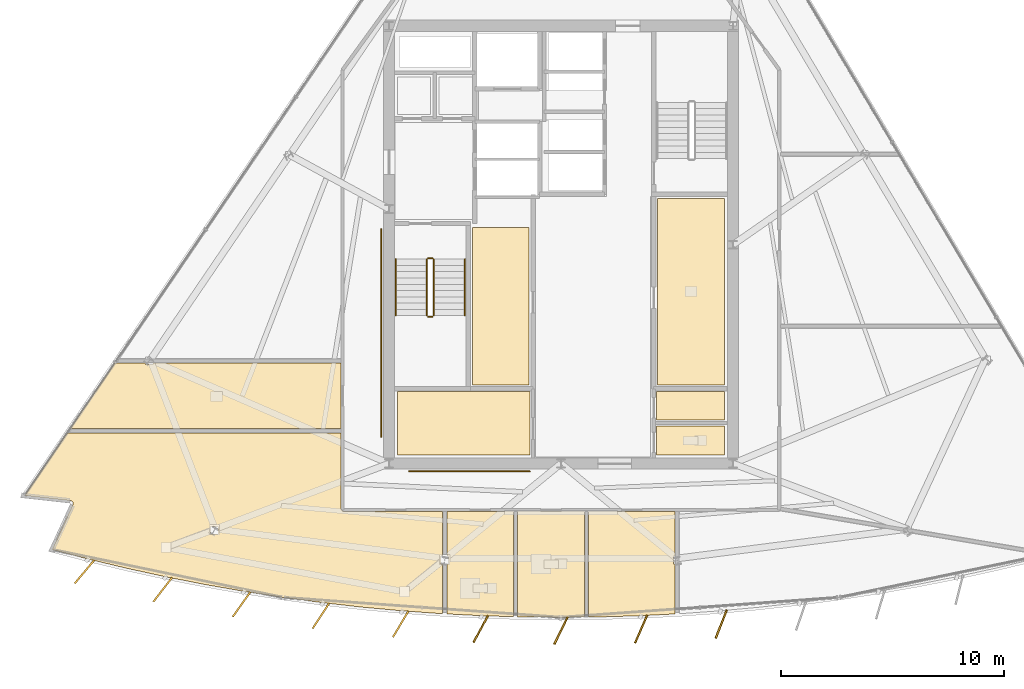
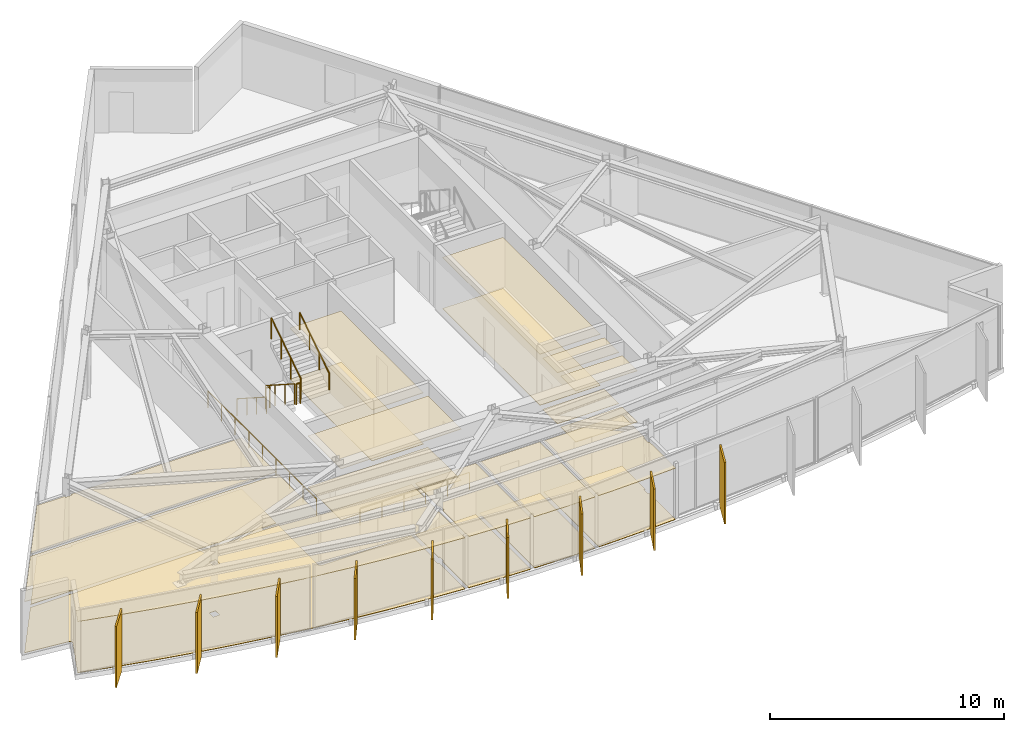
# One storey, part 9 of 12: 20 coverings, 9 shading devices, 8 railings.
"""IFC4 building model written with IfcOpenShell, lengths in metres."""

import ifcopenshell
import ifcopenshell.guid

model = None  # the IFC model being written
_history = None  # IfcOwnerHistory: only IFC2X3 demands one
_inside = {}  # id of a spatial element -> (the spatial element, [elements in it])
_under = {}  # id of a project, library or spatial element -> (it, [spatial elements below it])
_declared = {}  # id of a project -> (the project, [libraries it declares])
_typed = {}  # id of a type object -> (the type object, [elements of that type])
_made_of = {}  # id of a material, layer set ... -> (it, [elements and type objects made of it])


def new_model(schema):
    """Start an empty IFC model of exactly this schema.

    Asked for "IFC4X3", IfcOpenShell would pick the latest addendum, in which some entities
    have other attributes; the version numbers below select the first issue.
    IFC2X3 requires an IfcOwnerHistory on every rooted entity: one is made here for all.
    """
    global model, _history
    if schema == "IFC4X3":
        model = ifcopenshell.file(schema_version=(4, 3, 0, 0))
    else:
        model = ifcopenshell.file(schema=schema)
    _inside.clear()
    _under.clear()
    _declared.clear()
    _typed.clear()
    _made_of.clear()
    _history = None
    if model.schema == "IFC2X3":
        org = make("IfcOrganization", Name="unknown")
        user = make(
            "IfcPersonAndOrganization",
            ThePerson=make("IfcPerson", FamilyName="unknown"),
            TheOrganization=org,
        )
        app = make(
            "IfcApplication",
            ApplicationDeveloper=org,
            Version="unknown",
            ApplicationFullName="unknown",
            ApplicationIdentifier="unknown",
        )
        _history = make(
            "IfcOwnerHistory",
            OwningUser=user,
            OwningApplication=app,
            ChangeAction="ADDED",
            CreationDate=0,
        )
    return model


def make(cls, **values):
    """One entity of the class cls with the attributes given. An attribute that is None is left unset."""
    return model.create_entity(
        cls, **{name: value for name, value in values.items() if value is not None}
    )


def rooted(cls, **values):
    """An entity with a GlobalId (a new one), such as an element, a storey or a relation."""
    return make(cls, GlobalId=ifcopenshell.guid.new(), OwnerHistory=_history, **values)


def si_unit(unit_type, name, prefix=None):
    """IfcSIUnit, for example si_unit("LENGTHUNIT", "METRE", prefix="MILLI")."""
    return make("IfcSIUnit", UnitType=unit_type, Prefix=prefix, Name=name)


def assignment(units):
    """IfcUnitAssignment: the units of a project."""
    return None if units is None else make("IfcUnitAssignment", Units=units)


def point(xyz):
    """IfcCartesianPoint."""
    return None if xyz is None else make("IfcCartesianPoint", Coordinates=xyz)


def direction(xyz):
    """IfcDirection."""
    return None if xyz is None else make("IfcDirection", DirectionRatios=xyz)


def frame(location, z_axis=None, x_axis=None):
    """IfcAxis2Placement3D, a coordinate frame: its origin and axes. An axis left out is left unset."""
    return make(
        "IfcAxis2Placement3D",
        Location=point(location),
        Axis=direction(z_axis),
        RefDirection=direction(x_axis),
    )


def frame_2d(location, x_axis=None):
    """IfcAxis2Placement2D, a coordinate frame in the plane: its origin and x axis."""
    return make(
        "IfcAxis2Placement2D", Location=point(location), RefDirection=direction(x_axis)
    )


def origin():
    """The frame at (0, 0, 0) with its axes left unset."""
    return frame((0.0, 0.0, 0.0))


def origin_2d():
    """The frame at (0, 0) in the plane with its x axis left unset."""
    return frame_2d((0.0, 0.0))


def place(relative_to, where):
    """IfcLocalPlacement: puts the frame where relative to a parent placement (None: the world)."""
    return make(
        "IfcLocalPlacement", PlacementRelTo=relative_to, RelativePlacement=where
    )


def context(
    kind, dimensions, precision=None, world=None, true_north=None, identifier=None
):
    """IfcGeometricRepresentationContext, for example the 3D "Model" context."""
    return make(
        "IfcGeometricRepresentationContext",
        ContextIdentifier=identifier,
        ContextType=kind,
        CoordinateSpaceDimension=dimensions,
        Precision=precision,
        WorldCoordinateSystem=world,
        TrueNorth=true_north,
    )


def subcontext(parent, identifier, kind, view, scale=None):
    """IfcGeometricRepresentationSubContext, for example "Body" below "Model"."""
    return make(
        "IfcGeometricRepresentationSubContext",
        ContextIdentifier=identifier,
        ContextType=kind,
        ParentContext=parent,
        TargetScale=scale,
        TargetView=view,
    )


def project(units=None, contexts=None):
    """IfcProject with its units and contexts."""
    return rooted(
        "IfcProject",
        Name="project",
        RepresentationContexts=contexts,
        UnitsInContext=assignment(units),
    )


def spatial(cls, under=None, at=None, **own):
    """A site, building, storey or space (cls), placed at a placement, below another one or the project."""
    s = rooted(cls, ObjectPlacement=at, **own)
    if under is not None:
        _under.setdefault(under.id(), (under, []))[1].append(s)
    return s


def polyline(points):
    """IfcPolyline through the points."""
    return make("IfcPolyline", Points=[point(p) for p in points])


def profile(cls, at=None, kind="AREA", **sizes):
    """A parametric profile (cls). Its sizes go by their IFC names, for example OverallWidth=200.0."""
    return make(cls, ProfileType=kind, Position=at, **sizes)


def rectangle(**sizes):
    """IfcRectangleProfileDef."""
    return profile("IfcRectangleProfileDef", **sizes)


def circle(**sizes):
    """IfcCircleProfileDef."""
    return profile("IfcCircleProfileDef", **sizes)


def outline(outer, holes=None, kind="AREA"):
    """IfcArbitraryClosedProfileDef: a profile drawn as a closed curve; with holes, ...WithVoids."""
    if holes is None:
        return make("IfcArbitraryClosedProfileDef", ProfileType=kind, OuterCurve=outer)
    return make(
        "IfcArbitraryProfileDefWithVoids",
        ProfileType=kind,
        OuterCurve=outer,
        InnerCurves=holes,
    )


def extrude(swept, where, along, depth):
    """IfcExtrudedAreaSolid: the profile swept, set in the frame where, extruded along a direction by depth."""
    return make(
        "IfcExtrudedAreaSolid",
        SweptArea=swept,
        Position=where,
        ExtrudedDirection=direction(along),
        Depth=depth,
    )


def shape(context_of_items, identifier, shape_type, items):
    """IfcShapeRepresentation: the items that make up one representation, for example the "Body"."""
    return make(
        "IfcShapeRepresentation",
        ContextOfItems=context_of_items,
        RepresentationIdentifier=identifier,
        RepresentationType=shape_type,
        Items=items,
    )


def material(Name=None, Category=None):
    """IfcMaterial."""
    return make("IfcMaterial", Name=Name, Category=Category)


def layer(
    of_material, thickness, ventilated=None, Name=None, Category=None, Priority=None
):
    """IfcMaterialLayer: one layer of a wall or slab, of a material (None: an air gap)."""
    return make(
        "IfcMaterialLayer",
        Material=of_material,
        LayerThickness=thickness,
        IsVentilated=ventilated,
        Name=Name,
        Category=Category,
        Priority=Priority,
    )


def layer_set(layers, Name=None):
    """IfcMaterialLayerSet."""
    return make("IfcMaterialLayerSet", MaterialLayers=layers, LayerSetName=Name)


def made_of(thing, what):
    """Note that an element or type object is made of a material, layer set ...; save() writes the relation."""
    if what is not None:
        _made_of.setdefault(what.id(), (what, []))[1].append(thing)
    return thing


def type_object(cls, material=None, **own):
    """A type object (cls), such as IfcWallType, which elements share."""
    return made_of(rooted(cls, **own), material)


def element(
    cls,
    number,
    at=None,
    inside=None,
    cuts=None,
    type_object=None,
    material=None,
    context=None,
    identifier="Body",
    shape_type=None,
    held_by="IfcProductDefinitionShape",
    body=None,
    shapes=None,
    **own,
):
    """One element of the class cls, such as IfcWall. Its Tag is "e" and its number.

    at: its placement. inside: the storey or other place that contains it. cuts: it is an
    opening in that element (IfcRelVoidsElement). A single representation is given by context,
    identifier, shape_type and body (its items); several are given by shapes. held_by: the class
    of the entity that holds the representations. save() writes the other relations.
    """
    e = rooted(cls, Tag="e%d" % number, ObjectPlacement=at, **own)
    if body is not None:
        shapes = [shape(context, identifier, shape_type, body)]
    if shapes is not None:
        e.Representation = make(held_by, Representations=shapes)
    if inside is not None:
        _inside.setdefault(inside.id(), (inside, []))[1].append(e)
    if cuts is not None:
        rooted(
            "IfcRelVoidsElement", RelatingBuildingElement=cuts, RelatedOpeningElement=e
        )
    if type_object is not None:
        _typed.setdefault(type_object.id(), (type_object, []))[1].append(e)
    return made_of(e, material)


def aggregate(whole, parts):
    """IfcRelAggregates: a whole, such as a stair, and the parts it consists of."""
    return rooted("IfcRelAggregates", RelatingObject=whole, RelatedObjects=parts)


def save(model, path):
    """Write the relations noted so far, then the file.

    IfcRelAggregates (storeys below a building ...), IfcRelContainedInSpatialStructure (elements
    in a storey), IfcRelDefinesByType, IfcRelAssociatesMaterial and IfcRelDeclares: one each for
    every whole, place, type object, material and project.
    """
    for whole, parts in _under.values():
        aggregate(whole, parts)
    for where, things in _inside.values():
        rooted(
            "IfcRelContainedInSpatialStructure",
            RelatedElements=things,
            RelatingStructure=where,
        )
    for kind, things in _typed.values():
        rooted("IfcRelDefinesByType", RelatedObjects=things, RelatingType=kind)
    for what, things in _made_of.values():
        rooted("IfcRelAssociatesMaterial", RelatedObjects=things, RelatingMaterial=what)
    for by, libraries in _declared.values():
        rooted("IfcRelDeclares", RelatingContext=by, RelatedDefinitions=libraries)
    model.write(path)


model = new_model("IFC4")

# Units and contexts
model_context = context("Model", 3, precision=1e-05, world=origin(), true_north=direction((0.0, 1.0)))
body_context = subcontext(model_context, "Body", "Model", "MODEL_VIEW")
ifc_project = project(units=[si_unit("LENGTHUNIT", "METRE"), si_unit("AREAUNIT", "SQUARE_METRE"), si_unit("VOLUMEUNIT", "CUBIC_METRE"), si_unit("PLANEANGLEUNIT", "RADIAN"), si_unit("MASSUNIT", "GRAM", prefix="KILO")], contexts=[model_context])

# Site, building, storey
site_placement = place(None, origin())
site = spatial("IfcSite", under=ifc_project, at=site_placement, CompositionType="ELEMENT")
building_placement = place(site_placement, origin())
building = spatial("IfcBuilding", under=site, at=building_placement, Name="Savorim Split Tower", CompositionType="ELEMENT")
storey_placement = place(building_placement, frame((0.0, 0.0, 268.800048828125)))
storey = spatial("IfcBuildingStorey", under=building, at=storey_placement, Name="L71", CompositionType="ELEMENT", Elevation=268.800048828125)

# Coverings
ifc_material_1 = material(Name="Mineral Fibre Acoustic Ceiling")
ifc_layer_1 = layer(ifc_material_1, 0.02490234375)
ifc_layer_set_1 = layer_set([ifc_layer_1], Name="COV-CEIL-25")
covering_type_1 = type_object("IfcCoveringType", Name="COV-CEIL-25", PredefinedType="CEILING", material=ifc_layer_set_1)
covering_1_placement = place(storey_placement, frame((0.0, 0.0, 2.669921875)))
element("IfcCovering", 1, at=covering_1_placement, inside=storey, type_object=covering_type_1, Name="L71 Community Laundry Room Acoustic Ceiling", PredefinedType="CEILING", context=body_context, shape_type="SweptSolid", body=[
    extrude(outline(polyline([(4.330078125, 2.469970703125), (4.330078125, -5.8701171875), (7.320068359375, -5.8701171875), (7.320068359375, 2.469970703125), (4.330078125, 2.469970703125)])), origin(), (0.0, 0.0, 1.0), 0.025146484375),
])
covering_2_placement = place(storey_placement, frame((0.0, 0.0, 2.669921875)))
element("IfcCovering", 2, at=covering_2_placement, inside=storey, type_object=covering_type_1, Name="L71 Quiet Study Room Acoustic Ceiling", PredefinedType="CEILING", context=body_context, shape_type="SweptSolid", body=[
    extrude(outline(polyline([(-3.969970703125, 1.169921875), (-3.969970703125, -5.8701171875), (-1.429931640625, -5.8701171875), (-1.429931640625, 1.169921875), (-3.969970703125, 1.169921875)])), origin(), (0.0, 0.0, 1.0), 0.025146484375),
])
covering_3_placement = place(storey_placement, frame((0.0, 0.0, 2.669921875)))
element("IfcCovering", 3, at=covering_3_placement, inside=storey, type_object=covering_type_1, Name="L71 Housekeeping Store Acoustic Ceiling", PredefinedType="CEILING", context=body_context, shape_type="SweptSolid", body=[
    extrude(outline(polyline([(-7.320068359375, -6.179931640625), (-7.320068359375, -9.02001953125), (-1.3798828125, -9.02001953125), (-1.3798828125, -6.179931640625), (-7.320068359375, -6.179931640625)])), origin(), (0.0, 0.0, 1.0), 0.025146484375),
])
covering_4_placement = place(storey_placement, frame((0.0, 0.0, 2.669921875)))
element("IfcCovering", 4, at=covering_4_placement, inside=storey, type_object=covering_type_1, Name="L71 Accessible WC Acoustic Ceiling", PredefinedType="CEILING", context=body_context, shape_type="SweptSolid", body=[
    extrude(outline(polyline([(4.280029296875, -7.719970703125), (4.280029296875, -9.02001953125), (7.320068359375, -9.02001953125), (7.320068359375, -7.719970703125), (4.280029296875, -7.719970703125)])), origin(), (0.0, 0.0, 1.0), 0.025146484375),
])
covering_5_placement = place(storey_placement, frame((0.0, 0.0, 2.669921875)))
element("IfcCovering", 5, at=covering_5_placement, inside=storey, type_object=covering_type_1, Name="L71 Cleaning Store Acoustic Ceiling", PredefinedType="CEILING", context=body_context, shape_type="SweptSolid", body=[
    extrude(outline(polyline([(4.280029296875, -6.179931640625), (4.280029296875, -7.43994140625), (7.320068359375, -7.43994140625), (7.320068359375, -6.179931640625), (4.280029296875, -6.179931640625)])), origin(), (0.0, 0.0, 1.0), 0.025146484375),
])
covering_6_placement = place(storey_placement, frame((0.0, 0.0, 2.669921875)))
element("IfcCovering", 6, at=covering_6_placement, inside=storey, type_object=covering_type_1, Name="L71 Shared Kitchen Acoustic Ceiling", PredefinedType="CEILING", context=body_context, shape_type="SweptSolid", body=[
    extrude(outline(polyline([(-19.842529296875, -4.890380859375), (-19.9375, -4.890380859375), (-19.9375, -4.84619140625), (-21.973388671875, -7.838623046875), (-9.840087890625, -7.838623046875), (-9.840087890625, -4.890380859375), (-18.267333984375, -4.890380859375), (-18.267333984375, -4.970458984375), (-18.59619140625, -4.970458984375), (-18.59619140625, -4.890380859375), (-19.842529296875, -4.890380859375)])), origin(), (0.0, 0.0, 1.0), 0.025146484375),
])
covering_7_placement = place(storey_placement, frame((0.0, 0.0, 2.669921875)))
element("IfcCovering", 7, at=covering_7_placement, inside=storey, type_object=covering_type_1, Name="L71 Co-Working Commons Acoustic Ceiling", PredefinedType="CEILING", context=body_context, shape_type="SweptSolid", body=[
    extrude(outline(polyline([(-21.83837890625, -11.18408203125), (-21.839111328125, -11.196044921875), (-21.84130859375, -11.2080078125), (-21.8447265625, -11.21923828125), (-21.84912109375, -11.23046875), (-22.7783203125, -13.2529296875), (-21.18994140625, -13.668212890625), (-19.45556640625, -14.084228515625), (-17.712890625, -14.464599609375), (-15.962646484375, -14.80908203125), (-14.2060546875, -15.117919921875), (-12.443359375, -15.390380859375), (-10.67529296875, -15.626953125), (-8.90283203125, -15.827392578125), (-7.126953125, -15.991455078125), (-5.34765625, -16.118896484375), (-5.296630859375, -16.12158203125), (-5.296630859375, -13.88671875), (-5.3662109375, -13.88671875), (-5.3662109375, -13.536865234375), (-5.296630859375, -13.536865234375), (-5.296630859375, -11.5400390625), (-9.699951171875, -11.5400390625), (-9.713623046875, -11.539306640625), (-9.727294921875, -11.537353515625), (-9.740478515625, -11.533935546875), (-9.753662109375, -11.529296875), (-9.76611328125, -11.5234375), (-9.77783203125, -11.516357421875), (-9.788818359375, -11.50830078125), (-9.799072265625, -11.4990234375), (-9.80810546875, -11.48876953125), (-9.81640625, -11.477783203125), (-9.823486328125, -11.466064453125), (-9.829345703125, -11.45361328125), (-9.833984375, -11.440673828125), (-9.83740234375, -11.42724609375), (-9.83935546875, -11.413818359375), (-9.840087890625, -11.39990234375), (-9.840087890625, -8.028564453125), (-22.1025390625, -8.028564453125), (-24.0087890625, -10.83056640625), (-21.94482421875, -11.06103515625), (-21.93310546875, -11.06298828125), (-21.921630859375, -11.06591796875), (-21.910400390625, -11.0703125), (-21.899658203125, -11.075439453125), (-21.8896484375, -11.081787109375), (-21.880126953125, -11.089111328125), (-21.87158203125, -11.097412109375), (-21.86376953125, -11.1064453125), (-21.856689453125, -11.1162109375), (-21.850830078125, -11.12646484375), (-21.84619140625, -11.137451171875), (-21.84228515625, -11.148681640625), (-21.83984375, -11.160400390625), (-21.83837890625, -11.17236328125), (-21.83837890625, -11.18408203125)]), holes=[polyline([(-15.68505859375, -12.56201171875), (-15.35595703125, -12.56201171875), (-15.35595703125, -12.2119140625), (-15.68505859375, -12.2119140625), (-15.68505859375, -12.56201171875)])]), origin(), (0.0, 0.0, 1.0), 0.025146484375),
])
covering_8_placement = place(storey_placement, frame((0.0, 0.0, 2.669921875)))
element("IfcCovering", 8, at=covering_8_placement, inside=storey, type_object=covering_type_1, Name="L71 Shared Bathroom Acoustic Ceiling", PredefinedType="CEILING", context=body_context, shape_type="SweptSolid", body=[
    extrude(outline(polyline([(-5.106689453125, -16.076416015625), (-5.106689453125, -16.13134765625), (-3.56640625, -16.210205078125), (-2.12451171875, -16.25439453125), (-2.12451171875, -11.5400390625), (-5.106689453125, -11.5400390625), (-5.106689453125, -13.536865234375), (-5.037109375, -13.536865234375), (-5.037109375, -13.88671875), (-5.106689453125, -13.88671875), (-5.106689453125, -16.076416015625)])), origin(), (0.0, 0.0, 1.0), 0.025146484375),
])
covering_9_placement = place(storey_placement, frame((0.0, 0.0, 2.669921875)))
element("IfcCovering", 9, at=covering_9_placement, inside=storey, type_object=covering_type_1, Name="L71 Shared Bathroom Acoustic Ceiling", PredefinedType="CEILING", context=body_context, shape_type="SweptSolid", body=[
    extrude(outline(polyline([(-1.9345703125, -16.26025390625), (-1.783447265625, -16.264892578125), (0.0, -16.283203125), (1.047607421875, -16.2724609375), (1.047607421875, -11.5400390625), (-1.9345703125, -11.5400390625), (-1.9345703125, -16.26025390625)])), origin(), (0.0, 0.0, 1.0), 0.025146484375),
])
covering_10_placement = place(storey_placement, frame((0.0, 0.0, 2.669921875)))
element("IfcCovering", 10, at=covering_10_placement, inside=storey, type_object=covering_type_1, Name="L71 Co-Living Bedroom Acoustic Ceiling", PredefinedType="CEILING", context=body_context, shape_type="SweptSolid", body=[
    extrude(outline(polyline([(1.237548828125, -11.5400390625), (1.237548828125, -16.2705078125), (1.783447265625, -16.264892578125), (3.56640625, -16.210205078125), (5.106689453125, -16.13134765625), (5.106689453125, -13.88671875), (5.037109375, -13.88671875), (5.037109375, -13.536865234375), (5.106689453125, -13.536865234375), (5.106689453125, -11.5400390625), (1.237548828125, -11.5400390625)])), origin(), (0.0, 0.0, 1.0), 0.025146484375),
])
ifc_material_2 = material(Name="Porcelain Stoneware Flooring", Category="masonry")
ifc_layer_2 = layer(ifc_material_2, 0.02001953125)
ifc_layer_set_2 = layer_set([ifc_layer_2], Name="COV-FLOR-20")
covering_type_2 = type_object("IfcCoveringType", Name="COV-FLOR-20", PredefinedType="FLOORING", material=ifc_layer_set_2)
covering_11_placement = place(storey_placement, origin())
element("IfcCovering", 11, at=covering_11_placement, inside=storey, type_object=covering_type_2, Name="L71 Community Laundry Room Porcelain Flooring", PredefinedType="FLOORING", context=body_context, shape_type="SweptSolid", body=[
    extrude(outline(polyline([(4.330078125, 2.469970703125), (4.330078125, -5.8701171875), (7.320068359375, -5.8701171875), (7.320068359375, 2.469970703125), (4.330078125, 2.469970703125)])), origin(), (0.0, 0.0, 1.0), 0.02001953125),
])
covering_12_placement = place(storey_placement, origin())
element("IfcCovering", 12, at=covering_12_placement, inside=storey, type_object=covering_type_2, Name="L71 Quiet Study Room Porcelain Flooring", PredefinedType="FLOORING", context=body_context, shape_type="SweptSolid", body=[
    extrude(outline(polyline([(-3.969970703125, 1.169921875), (-3.969970703125, -5.8701171875), (-1.429931640625, -5.8701171875), (-1.429931640625, 1.169921875), (-3.969970703125, 1.169921875)])), origin(), (0.0, 0.0, 1.0), 0.02001953125),
])
covering_13_placement = place(storey_placement, origin())
element("IfcCovering", 13, at=covering_13_placement, inside=storey, type_object=covering_type_2, Name="L71 Housekeeping Store Porcelain Flooring", PredefinedType="FLOORING", context=body_context, shape_type="SweptSolid", body=[
    extrude(outline(polyline([(-7.320068359375, -6.179931640625), (-7.320068359375, -9.02001953125), (-1.3798828125, -9.02001953125), (-1.3798828125, -6.179931640625), (-7.320068359375, -6.179931640625)])), origin(), (0.0, 0.0, 1.0), 0.02001953125),
])
covering_14_placement = place(storey_placement, origin())
element("IfcCovering", 14, at=covering_14_placement, inside=storey, type_object=covering_type_2, Name="L71 Accessible WC Porcelain Flooring", PredefinedType="FLOORING", context=body_context, shape_type="SweptSolid", body=[
    extrude(outline(polyline([(4.280029296875, -7.719970703125), (4.280029296875, -9.02001953125), (7.320068359375, -9.02001953125), (7.320068359375, -7.719970703125), (4.280029296875, -7.719970703125)])), origin(), (0.0, 0.0, 1.0), 0.02001953125),
])
covering_15_placement = place(storey_placement, origin())
element("IfcCovering", 15, at=covering_15_placement, inside=storey, type_object=covering_type_2, Name="L71 Cleaning Store Porcelain Flooring", PredefinedType="FLOORING", context=body_context, shape_type="SweptSolid", body=[
    extrude(outline(polyline([(4.280029296875, -6.179931640625), (4.280029296875, -7.43994140625), (7.320068359375, -7.43994140625), (7.320068359375, -6.179931640625), (4.280029296875, -6.179931640625)])), origin(), (0.0, 0.0, 1.0), 0.02001953125),
])
covering_16_placement = place(storey_placement, origin())
element("IfcCovering", 16, at=covering_16_placement, inside=storey, type_object=covering_type_2, Name="L71 Shared Kitchen Porcelain Flooring", PredefinedType="FLOORING", context=body_context, shape_type="SweptSolid", body=[
    extrude(outline(polyline([(-19.842529296875, -4.890380859375), (-19.9375, -4.890380859375), (-19.9375, -4.84619140625), (-21.973388671875, -7.838623046875), (-9.840087890625, -7.838623046875), (-9.840087890625, -4.890380859375), (-18.267333984375, -4.890380859375), (-18.267333984375, -4.970458984375), (-18.59619140625, -4.970458984375), (-18.59619140625, -4.890380859375), (-19.842529296875, -4.890380859375)])), origin(), (0.0, 0.0, 1.0), 0.02001953125),
])
covering_17_placement = place(storey_placement, origin())
element("IfcCovering", 17, at=covering_17_placement, inside=storey, type_object=covering_type_2, Name="L71 Co-Working Commons Porcelain Flooring", PredefinedType="FLOORING", context=body_context, shape_type="SweptSolid", body=[
    extrude(outline(polyline([(-21.83837890625, -11.18408203125), (-21.839111328125, -11.196044921875), (-21.84130859375, -11.2080078125), (-21.8447265625, -11.21923828125), (-21.84912109375, -11.23046875), (-22.7783203125, -13.2529296875), (-21.18994140625, -13.668212890625), (-19.45556640625, -14.084228515625), (-17.712890625, -14.464599609375), (-15.962646484375, -14.80908203125), (-14.2060546875, -15.117919921875), (-12.443359375, -15.390380859375), (-10.67529296875, -15.626953125), (-8.90283203125, -15.827392578125), (-7.126953125, -15.991455078125), (-5.34765625, -16.118896484375), (-5.296630859375, -16.12158203125), (-5.296630859375, -13.88671875), (-5.3662109375, -13.88671875), (-5.3662109375, -13.536865234375), (-5.296630859375, -13.536865234375), (-5.296630859375, -11.5400390625), (-9.699951171875, -11.5400390625), (-9.713623046875, -11.539306640625), (-9.727294921875, -11.537353515625), (-9.740478515625, -11.533935546875), (-9.753662109375, -11.529296875), (-9.76611328125, -11.5234375), (-9.77783203125, -11.516357421875), (-9.788818359375, -11.50830078125), (-9.799072265625, -11.4990234375), (-9.80810546875, -11.48876953125), (-9.81640625, -11.477783203125), (-9.823486328125, -11.466064453125), (-9.829345703125, -11.45361328125), (-9.833984375, -11.440673828125), (-9.83740234375, -11.42724609375), (-9.83935546875, -11.413818359375), (-9.840087890625, -11.39990234375), (-9.840087890625, -8.028564453125), (-22.1025390625, -8.028564453125), (-24.0087890625, -10.83056640625), (-21.94482421875, -11.06103515625), (-21.93310546875, -11.06298828125), (-21.921630859375, -11.06591796875), (-21.910400390625, -11.0703125), (-21.899658203125, -11.075439453125), (-21.8896484375, -11.081787109375), (-21.880126953125, -11.089111328125), (-21.87158203125, -11.097412109375), (-21.86376953125, -11.1064453125), (-21.856689453125, -11.1162109375), (-21.850830078125, -11.12646484375), (-21.84619140625, -11.137451171875), (-21.84228515625, -11.148681640625), (-21.83984375, -11.160400390625), (-21.83837890625, -11.17236328125), (-21.83837890625, -11.18408203125)]), holes=[polyline([(-15.68505859375, -12.56201171875), (-15.35595703125, -12.56201171875), (-15.35595703125, -12.2119140625), (-15.68505859375, -12.2119140625), (-15.68505859375, -12.56201171875)])]), origin(), (0.0, 0.0, 1.0), 0.02001953125),
])
covering_18_placement = place(storey_placement, origin())
element("IfcCovering", 18, at=covering_18_placement, inside=storey, type_object=covering_type_2, Name="L71 Shared Bathroom Porcelain Flooring", PredefinedType="FLOORING", context=body_context, shape_type="SweptSolid", body=[
    extrude(outline(polyline([(-5.106689453125, -16.076416015625), (-5.106689453125, -16.13134765625), (-3.56640625, -16.210205078125), (-2.12451171875, -16.25439453125), (-2.12451171875, -11.5400390625), (-5.106689453125, -11.5400390625), (-5.106689453125, -13.536865234375), (-5.037109375, -13.536865234375), (-5.037109375, -13.88671875), (-5.106689453125, -13.88671875), (-5.106689453125, -16.076416015625)])), origin(), (0.0, 0.0, 1.0), 0.02001953125),
])
covering_19_placement = place(storey_placement, origin())
element("IfcCovering", 19, at=covering_19_placement, inside=storey, type_object=covering_type_2, Name="L71 Shared Bathroom Porcelain Flooring", PredefinedType="FLOORING", context=body_context, shape_type="SweptSolid", body=[
    extrude(outline(polyline([(-1.9345703125, -16.26025390625), (-1.783447265625, -16.264892578125), (0.0, -16.283203125), (1.047607421875, -16.2724609375), (1.047607421875, -11.5400390625), (-1.9345703125, -11.5400390625), (-1.9345703125, -16.26025390625)])), origin(), (0.0, 0.0, 1.0), 0.02001953125),
])
covering_20_placement = place(storey_placement, origin())
element("IfcCovering", 20, at=covering_20_placement, inside=storey, type_object=covering_type_2, Name="L71 Co-Living Bedroom Porcelain Flooring", PredefinedType="FLOORING", context=body_context, shape_type="SweptSolid", body=[
    extrude(outline(polyline([(1.237548828125, -11.5400390625), (1.237548828125, -16.2705078125), (1.783447265625, -16.264892578125), (3.56640625, -16.210205078125), (5.106689453125, -16.13134765625), (5.106689453125, -13.88671875), (5.037109375, -13.88671875), (5.037109375, -13.536865234375), (5.106689453125, -13.536865234375), (5.106689453125, -11.5400390625), (1.237548828125, -11.5400390625)])), origin(), (0.0, 0.0, 1.0), 0.02001953125),
])

# Railings
ifc_material_3 = material(Name="Galvanised Painted Steel Balustrade", Category="steel")
railing_type_1 = type_object("IfcRailingType", Name="RLG-HR-900", PredefinedType="HANDRAIL", material=ifc_material_3)
railing_1_placement = place(storey_placement, frame((-7.39990234375, -0.25, 0.179931640625)))
element("IfcRailing", 21, at=railing_1_placement, inside=storey, type_object=railing_type_1, Name="L71 ST-1 stair handrail 1", PredefinedType="HANDRAIL", context=body_context, shape_type="SweptSolid", body=[
    extrude(circle(Radius=0.02392578125, at=origin_2d()), frame((0.0, 0.0, 0.8759765625), z_axis=(0.0, -0.841162588446, 0.540782303519), x_axis=(1.0, 0.0, 0.0)), (0.0, 0.0, 1.0), 2.995849609375),
    extrude(circle(Radius=0.02099609375, at=origin_2d()), origin(), (0.0, 0.0, 1.0), 0.851806640625),
    extrude(circle(Radius=0.02099609375, at=origin_2d()), frame((0.0, -0.840087890625, 0.5400390625)), (0.0, 0.0, 1.0), 0.851806640625),
    extrude(circle(Radius=0.02099609375, at=origin_2d()), frame((0.0, -1.679931640625, 1.080078125)), (0.0, 0.0, 1.0), 0.851806640625),
    extrude(circle(Radius=0.02099609375, at=origin_2d()), frame((0.0, -2.52001953125, 1.6201171875)), (0.0, 0.0, 1.0), 0.851806640625),
])
railing_2_placement = place(storey_placement, frame((-4.300048828125, -2.77001953125, 1.97998046875)))
element("IfcRailing", 22, at=railing_2_placement, inside=storey, type_object=railing_type_1, Name="L71 ST-1 stair handrail 2", PredefinedType="HANDRAIL", context=body_context, shape_type="SweptSolid", body=[
    extrude(circle(Radius=0.02392578125, at=origin_2d()), frame((0.0, 0.0, 0.8759765625), z_axis=(0.0, 0.841199657755, 0.540724639528), x_axis=(-1.0, 0.0, 0.0)), (0.0, 0.0, 1.0), 2.995849609375),
    extrude(circle(Radius=0.02099609375, at=origin_2d()), origin(), (0.0, 0.0, 1.0), 0.851806640625),
    extrude(circle(Radius=0.02099609375, at=origin_2d()), frame((0.0, 0.840087890625, 0.5400390625)), (0.0, 0.0, 1.0), 0.851806640625),
    extrude(circle(Radius=0.02099609375, at=origin_2d()), frame((0.0, 1.679931640625, 1.079833984375)), (0.0, 0.0, 1.0), 0.851806640625),
    extrude(circle(Radius=0.02099609375, at=origin_2d()), frame((0.0, 2.52001953125, 1.619873046875)), (0.0, 0.0, 1.0), 0.851806640625),
])
railing_3_placement = place(storey_placement, frame((-6.800048828125, -9.75, 0.0)))
element("IfcRailing", 23, at=railing_3_placement, inside=storey, type_object=railing_type_1, Name="L71 Corridor South Accessible Handrail", PredefinedType="HANDRAIL", context=body_context, shape_type="SweptSolid", body=[
    extrude(circle(Radius=0.02392578125, at=origin_2d()), frame((0.0, 0.0, 0.8759765625), z_axis=(1.0, 0.0, 0.0), x_axis=(0.0, 1.0, 0.0)), (0.0, 0.0, 1.0), 5.400146484375),
    extrude(circle(Radius=0.02099609375, at=origin_2d()), origin(), (0.0, 0.0, 1.0), 0.851806640625),
    extrude(circle(Radius=0.02099609375, at=origin_2d()), frame((1.080078125, 0.0, 0.0)), (0.0, 0.0, 1.0), 0.851806640625),
    extrude(circle(Radius=0.02099609375, at=origin_2d()), frame((2.16015625, 0.0, 0.0)), (0.0, 0.0, 1.0), 0.851806640625),
    extrude(circle(Radius=0.02099609375, at=origin_2d()), frame((3.239990234375, 0.0, 0.0)), (0.0, 0.0, 1.0), 0.851806640625),
    extrude(circle(Radius=0.02099609375, at=origin_2d()), frame((4.320068359375, 0.0, 0.0)), (0.0, 0.0, 1.0), 0.851806640625),
    extrude(circle(Radius=0.02099609375, at=origin_2d()), frame((5.400146484375, 0.0, 0.0)), (0.0, 0.0, 1.0), 0.851806640625),
])
railing_4_placement = place(storey_placement, frame((-8.050048828125, -8.199951171875, 0.0)))
element("IfcRailing", 24, at=railing_4_placement, inside=storey, type_object=railing_type_1, Name="L71 Corridor West Accessible Handrail", PredefinedType="HANDRAIL", context=body_context, shape_type="SweptSolid", body=[
    extrude(circle(Radius=0.02392578125, at=origin_2d()), frame((0.0, 0.0, 0.8759765625), z_axis=(0.0, 1.0, 0.0), x_axis=(-1.0, 0.0, 0.0)), (0.0, 0.0, 1.0), 9.300048828125),
    extrude(circle(Radius=0.02099609375, at=origin_2d()), origin(), (0.0, 0.0, 1.0), 0.851806640625),
    extrude(circle(Radius=0.02099609375, at=origin_2d()), frame((0.0, 1.16259765625, 0.0)), (0.0, 0.0, 1.0), 0.851806640625),
    extrude(circle(Radius=0.02099609375, at=origin_2d()), frame((0.0, 2.324951171875, 0.0)), (0.0, 0.0, 1.0), 0.851806640625),
    extrude(circle(Radius=0.02099609375, at=origin_2d()), frame((0.0, 3.487548828125, 0.0)), (0.0, 0.0, 1.0), 0.851806640625),
    extrude(circle(Radius=0.02099609375, at=origin_2d()), frame((0.0, 4.64990234375, 0.0)), (0.0, 0.0, 1.0), 0.851806640625),
    extrude(circle(Radius=0.02099609375, at=origin_2d()), frame((0.0, 5.8125, 0.0)), (0.0, 0.0, 1.0), 0.851806640625),
    extrude(circle(Radius=0.02099609375, at=origin_2d()), frame((0.0, 6.97509765625, 0.0)), (0.0, 0.0, 1.0), 0.851806640625),
    extrude(circle(Radius=0.02099609375, at=origin_2d()), frame((0.0, 8.137451171875, 0.0)), (0.0, 0.0, 1.0), 0.851806640625),
    extrude(circle(Radius=0.02099609375, at=origin_2d()), frame((0.0, 9.300048828125, 0.0)), (0.0, 0.0, 1.0), 0.851806640625),
])
railing_type_2 = type_object("IfcRailingType", Name="RLG-STG-1100", PredefinedType="BALUSTRADE", material=ifc_material_3)
railing_5_placement = place(storey_placement, frame((-6.0, -0.25, 0.179931640625)))
element("IfcRailing", 25, at=railing_5_placement, inside=storey, type_object=railing_type_2, Name="L71 ST-1 stair guard 1", PredefinedType="BALUSTRADE", context=body_context, shape_type="SweptSolid", body=[
    extrude(circle(Radius=0.02392578125, at=origin_2d()), frame((0.0, 0.0, 1.076171875), z_axis=(0.0, -0.841162588446, 0.540782303519), x_axis=(1.0, 0.0, 0.0)), (0.0, 0.0, 1.0), 2.995849609375),
    extrude(circle(Radius=0.02099609375, at=origin_2d()), origin(), (0.0, 0.0, 1.0), 1.052001953125),
    extrude(circle(Radius=0.02099609375, at=origin_2d()), frame((0.0, -0.840087890625, 0.5400390625)), (0.0, 0.0, 1.0), 1.052001953125),
    extrude(circle(Radius=0.02099609375, at=origin_2d()), frame((0.0, -1.679931640625, 1.080078125)), (0.0, 0.0, 1.0), 1.052001953125),
    extrude(circle(Radius=0.02099609375, at=origin_2d()), frame((0.0, -2.52001953125, 1.6201171875)), (0.0, 0.0, 1.0), 1.052001953125),
])
railing_6_placement = place(storey_placement, frame((-5.949951171875, -2.820068359375, 1.800048828125)))
element("IfcRailing", 26, at=railing_6_placement, inside=storey, type_object=railing_type_2, Name="L71 ST-1 stair guard 2", PredefinedType="BALUSTRADE", context=body_context, shape_type="SweptSolid", body=[
    extrude(circle(Radius=0.02392578125, at=origin_2d()), frame((0.0, 0.0, 1.076171875), z_axis=(1.0, 0.0, 0.0), x_axis=(0.0, 1.0, 0.0)), (0.0, 0.0, 1.0), 0.199951171875),
    extrude(circle(Radius=0.02099609375, at=origin_2d()), origin(), (0.0, 0.0, 1.0), 1.052001953125),
    extrude(circle(Radius=0.02099609375, at=origin_2d()), frame((0.199951171875, 0.0, 0.0)), (0.0, 0.0, 1.0), 1.052001953125),
])
railing_7_placement = place(storey_placement, frame((-5.699951171875, -2.77001953125, 1.97998046875)))
element("IfcRailing", 27, at=railing_7_placement, inside=storey, type_object=railing_type_2, Name="L71 ST-1 stair guard 3", PredefinedType="BALUSTRADE", context=body_context, shape_type="SweptSolid", body=[
    extrude(circle(Radius=0.02392578125, at=origin_2d()), frame((0.0, 0.0, 1.076171875), z_axis=(0.0, 0.841199657755, 0.540724639528), x_axis=(-1.0, 0.0, 0.0)), (0.0, 0.0, 1.0), 2.995849609375),
    extrude(circle(Radius=0.02099609375, at=origin_2d()), origin(), (0.0, 0.0, 1.0), 1.052001953125),
    extrude(circle(Radius=0.02099609375, at=origin_2d()), frame((0.0, 0.840087890625, 0.5400390625)), (0.0, 0.0, 1.0), 1.052001953125),
    extrude(circle(Radius=0.02099609375, at=origin_2d()), frame((0.0, 1.679931640625, 1.079833984375)), (0.0, 0.0, 1.0), 1.052001953125),
    extrude(circle(Radius=0.02099609375, at=origin_2d()), frame((0.0, 2.52001953125, 1.619873046875)), (0.0, 0.0, 1.0), 1.052001953125),
])
railing_8_placement = place(storey_placement, frame((-5.949951171875, -0.199951171875, 0.0)))
element("IfcRailing", 28, at=railing_8_placement, inside=storey, type_object=railing_type_2, Name="L71 ST-1 stair guard 4", PredefinedType="BALUSTRADE", context=body_context, shape_type="SweptSolid", body=[
    extrude(circle(Radius=0.02392578125, at=origin_2d()), frame((0.0, 0.0, 1.076171875), z_axis=(1.0, 0.0, 0.0), x_axis=(0.0, 1.0, 0.0)), (0.0, 0.0, 1.0), 0.199951171875),
    extrude(circle(Radius=0.02099609375, at=origin_2d()), origin(), (0.0, 0.0, 1.0), 1.052001953125),
    extrude(circle(Radius=0.02099609375, at=origin_2d()), frame((0.199951171875, 0.0, 0.0)), (0.0, 0.0, 1.0), 1.052001953125),
])

# Shading devices
ifc_material_4 = material(Name="Terracotta Ceramic-Coated Aluminium Fin", Category="masonry")
shading_device_type = type_object("IfcShadingDeviceType", Name="SHD-FIN-1360", PredefinedType="USERDEFINED", material=ifc_material_4)
for number, where, z_axis, x_axis, name in (
    (29, (-21.3349609375, -14.246337890625, -0.2001953125), (0.0, 0.0, 1.0), (-0.643719022682, -0.765261928909, 0.0), "L71 Sawtooth Shading Fin 01"),
    (30, (-17.833984375, -15.048095703125, -0.2001953125), (0.0, 0.0, 1.0), (-0.611868076908, -0.790959832394, 0.0), "L71 Sawtooth Shading Fin 02"),
    (31, (-14.302978515625, -15.705810546875, -0.2001953125), (0.0, 0.0, 1.0), (-0.578993757737, -0.815331974414, 0.0), "L71 Sawtooth Shading Fin 03"),
    (32, (-10.748291015625, -16.218505859375, -0.2001953125), (0.0, 0.0, 1.0), (-0.545148321708, -0.838339613366, 0.0), "L71 Sawtooth Shading Fin 04"),
    (33, (-7.175537109375, -16.58544921875, -0.2001953125), (0.0, 0.0, 1.0), (-0.510391336723, -0.859942255851, 0.0), "L71 Sawtooth Shading Fin 05"),
    (34, (-3.5908203125, -16.8056640625, -0.2001953125), (0.0, 0.0, 1.0), (-0.474778051978, -0.880105562623, 0.0), "L71 Sawtooth Shading Fin 06"),
    (35, (0.0, -16.879150390625, -0.2001953125), (0.0, 0.0, 1.0), (-0.438371146789, -0.898794046299, 0.0), "L71 Sawtooth Shading Fin 07"),
    (36, (3.5908203125, -16.8056640625, -0.2001953125), (0.0, 0.0, 1.0), (-0.401230091723, -0.915977299662, 0.0), "L71 Sawtooth Shading Fin 08"),
    (37, (7.175537109375, -16.58544921875, -0.2001953125), (0.0, 0.0, 1.0), (-0.363415461732, -0.931627179817, 0.0), "L71 Sawtooth Shading Fin 09"),
):
    element("IfcShadingDevice", number, at=place(storey_placement, frame(where, z_axis=z_axis, x_axis=x_axis)), inside=storey, type_object=shading_device_type, Name=name, ObjectType="FIN", PredefinedType="USERDEFINED", context=body_context, shape_type="SweptSolid", body=[
        extrude(rectangle(XDim=1.360107421875, YDim=0.080078125, at=origin_2d()), origin(), (0.0, 0.0, 1.0), 3.199951171875),
    ])

save(model, "model.ifc")
